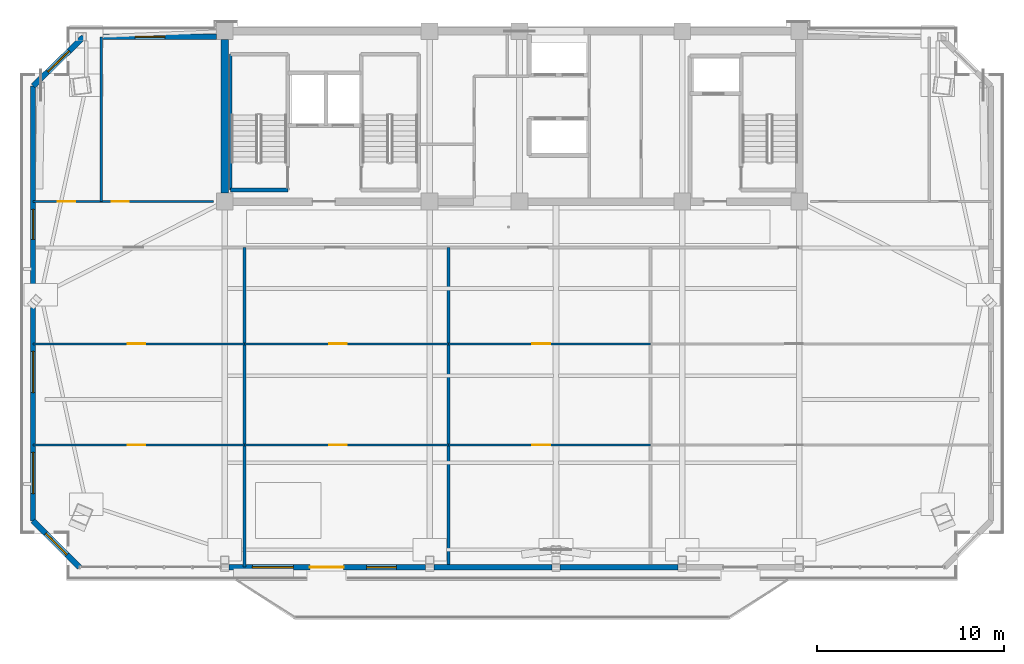
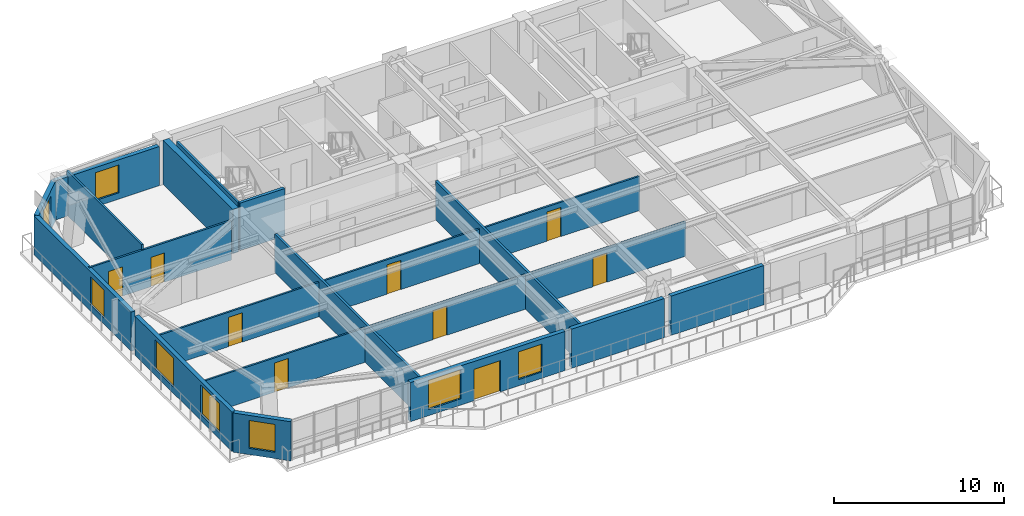
# One storey, part 8 of 15: 21 walls, 9 doors, 8 windows, 17 openings.
"""IFC4 building model written with IfcOpenShell, lengths in metres."""

from ifc_helpers import new_model, si_unit, direction, frame, frame_2d, origin, place, context, subcontext, project, spatial, rectangle, extrude, source, transform, mapped, material, layer, layer_set, type_object, element, fill, save


model = new_model("IFC4")

# Units and contexts
model_context = context("Model", 3, precision=1e-05, world=origin(), true_north=direction((0.0, 1.0)))
body_context = subcontext(model_context, "Body", "Model", "MODEL_VIEW")
ifc_project = project(units=[si_unit("LENGTHUNIT", "METRE"), si_unit("AREAUNIT", "SQUARE_METRE"), si_unit("VOLUMEUNIT", "CUBIC_METRE"), si_unit("PLANEANGLEUNIT", "RADIAN"), si_unit("MASSUNIT", "GRAM", prefix="KILO")], contexts=[model_context])

# Site, building, storey
site_placement = place(None, origin())
site = spatial("IfcSite", under=ifc_project, at=site_placement, CompositionType="ELEMENT")
building_placement = place(site_placement, origin())
building = spatial("IfcBuilding", under=site, at=building_placement, Name="Giltprow Tower", CompositionType="ELEMENT")
storey_placement = place(building_placement, frame((0.0, 0.0, 290.39990234375)))
storey = spatial("IfcBuildingStorey", under=building, at=storey_placement, Name="L74", CompositionType="ELEMENT", Elevation=290.39990234375)

# Wall, opening, window
ifc_material_1 = material(Name="Precast concrete C40", Category="concrete")
ifc_layer_1 = layer(ifc_material_1, 0.300048828125, Name="Precast concrete C40")
ifc_layer_set_1 = layer_set([ifc_layer_1], Name="Precast concrete C40")
wall_type_1 = type_object("IfcWallType", Name="EW-NOTCH-CHAMFER-300", PredefinedType="SOLIDWALL", material=ifc_layer_set_1)
wall_1_placement = place(storey_placement, frame((9.60888671875, 20.385009765625, 0.0), z_axis=(0.0, 0.0, 1.0), x_axis=(0.707106781187, -0.707106781187, 0.0)))
wall_1 = element("IfcWall", 1, at=wall_1_placement, inside=storey, type_object=wall_type_1, Name="L74 Corner Notch Wall SW", PredefinedType="SOLIDWALL", context=body_context, shape_type="SweptSolid", body=[
    extrude(rectangle(XDim=3.503173828125, YDim=0.300048828125, at=frame_2d((1.75146484375, 0.0))), origin(), (0.0, 0.0, 1.0), 2.815185546875),
])
opening_1_placement = place(wall_1_placement, frame((0.951904296875, 0.0, 0.449951171875)))
opening_1 = element("IfcOpeningElement", 2, at=opening_1_placement, cuts=wall_1, Name="Opening WN17", PredefinedType="OPENING", context=body_context, shape_type="SweptSolid", body=[
    extrude(rectangle(XDim=1.60009765625, YDim=2.0, at=frame_2d((0.800048828125, 1.0))), frame((0.0, 0.159912109375, 0.0), z_axis=(0.0, -1.0, 0.0), x_axis=(1.0, 0.0, 0.0)), (0.0, 0.0, 1.0), 0.320068359375),
])
ifc_material_2 = material(Name="Insulated glass", Category="glass")
window_type_1 = type_object("IfcWindowType", Name="WN-COR-1600x2000", PartitioningType="SINGLE_PANEL", PredefinedType="WINDOW", material=ifc_material_2)
shared_shape_1 = source(origin(), body_context, "Body", "SweptSolid", [
    extrude(rectangle(XDim=1.60009765625, YDim=2.0, at=frame_2d((0.800048828125, 1.0))), frame((0.0, 0.030029296875, 0.0), z_axis=(0.0, -1.0, 0.0), x_axis=(1.0, 0.0, 0.0)), (0.0, 0.0, 1.0), 0.06005859375),
])
window_1_placement = place(opening_1_placement, origin())
window_1 = element("IfcWindow", 3, at=window_1_placement, inside=storey, type_object=window_type_1, Name="L74 Corner Notch Window SW", OverallHeight=2.0, OverallWidth=1.60009765625, PartitioningType="SINGLE_PANEL", PredefinedType="WINDOW", context=body_context, shape_type="MappedRepresentation", body=[
    mapped(shared_shape_1, transform((0.0, 0.0, 0.0), x_axis=(1.0, 0.0, 0.0), y_axis=(0.0, 1.0, 0.0), z_axis=(0.0, 0.0, 1.0), scale=1.0)),
])
fill(opening_1, window_1)

wall_2_placement = place(storey_placement, frame((12.31103515625, 46.25, 0.0), z_axis=(0.0, 0.0, 1.0), x_axis=(-0.716883404149, -0.697193075737, 0.0)))
wall_2 = element("IfcWall", 4, at=wall_2_placement, inside=storey, type_object=wall_type_1, Name="L74 Corner Notch Wall NW", PredefinedType="SOLIDWALL", context=body_context, shape_type="SweptSolid", body=[
    extrude(rectangle(XDim=3.769287109375, YDim=0.300048828125, at=frame_2d((1.884765625, 0.0))), origin(), (0.0, 0.0, 1.0), 2.815185546875),
])
opening_2_placement = place(wall_2_placement, frame((1.0849609375, 0.0, 0.449951171875)))
opening_2 = element("IfcOpeningElement", 5, at=opening_2_placement, cuts=wall_2, Name="Opening WN17", PredefinedType="OPENING", context=body_context, shape_type="SweptSolid", body=[
    extrude(rectangle(XDim=1.60009765625, YDim=2.0, at=frame_2d((0.800048828125, 1.0))), frame((0.0, 0.159912109375, 0.0), z_axis=(0.0, -1.0, 0.0), x_axis=(1.0, 0.0, 0.0)), (0.0, 0.0, 1.0), 0.320068359375),
])
window_2_placement = place(opening_2_placement, origin())
window_2 = element("IfcWindow", 6, at=window_2_placement, inside=storey, type_object=window_type_1, Name="L74 Corner Notch Window NW", OverallHeight=2.0, OverallWidth=1.60009765625, PartitioningType="SINGLE_PANEL", PredefinedType="WINDOW", context=body_context, shape_type="MappedRepresentation", body=[
    mapped(shared_shape_1, transform((0.0, 0.0, 0.0), x_axis=(1.0, 0.0, 0.0), y_axis=(0.0, 1.0, 0.0), z_axis=(0.0, 0.0, 1.0), scale=1.0)),
])
fill(opening_2, window_2)

# Wall, openings, windows, door
ifc_layer_2 = layer(ifc_material_1, 0.280029296875, Name="Precast concrete C40")
ifc_layer_set_2 = layer_set([ifc_layer_2], Name="Precast concrete C40")
wall_type_2 = type_object("IfcWallType", Name="EW-TOW-BRONZE-280", PredefinedType="SOLIDWALL", material=ifc_layer_set_2)
wall_3_placement = place(storey_placement, frame((20.074951171875, 17.907958984375, 0.0), z_axis=(0.0, 0.0, 1.0), x_axis=(1.0, 0.0, 0.0)))
wall_3 = element("IfcWall", 7, at=wall_3_placement, inside=storey, type_object=wall_type_2, Name="L74 South Expressed Frame Wall 2", PredefinedType="SOLIDWALL", context=body_context, shape_type="SweptSolid", body=[
    extrude(rectangle(XDim=10.5, YDim=0.280029296875, at=frame_2d((5.25, 0.0))), origin(), (0.0, 0.0, 1.0), 2.815185546875),
])
opening_3_placement = place(wall_3_placement, frame((4.324951171875, 0.0, 0.0)))
opening_3 = element("IfcOpeningElement", 8, at=opening_3_placement, cuts=wall_3, Name="Opening ED25", PredefinedType="OPENING", context=body_context, shape_type="SweptSolid", body=[
    extrude(rectangle(XDim=1.800048828125, YDim=2.25, at=frame_2d((0.89990234375, 1.125))), frame((0.0, 0.14990234375, 0.0), z_axis=(0.0, -1.0, 0.0), x_axis=(1.0, 0.0, 0.0)), (0.0, 0.0, 1.0), 0.300048828125),
])
opening_4_placement = place(wall_3_placement, frame((1.2451171875, 0.0, 0.449951171875)))
opening_4 = element("IfcOpeningElement", 9, at=opening_4_placement, cuts=wall_3, Name="Opening WN27", PredefinedType="OPENING", context=body_context, shape_type="SweptSolid", body=[
    extrude(rectangle(XDim=2.199951171875, YDim=2.10009765625, at=frame_2d((1.10009765625, 1.050048828125))), frame((0.0, 0.14990234375, 0.0), z_axis=(0.0, -1.0, 0.0), x_axis=(1.0, 0.0, 0.0)), (0.0, 0.0, 1.0), 0.300048828125),
])
opening_5_placement = place(wall_3_placement, frame((7.35009765625, 0.0, 0.449951171875)))
opening_5 = element("IfcOpeningElement", 10, at=opening_5_placement, cuts=wall_3, Name="Opening WN17", PredefinedType="OPENING", context=body_context, shape_type="SweptSolid", body=[
    extrude(rectangle(XDim=1.60009765625, YDim=2.0, at=frame_2d((0.800048828125, 1.0))), frame((0.0, 0.14990234375, 0.0), z_axis=(0.0, -1.0, 0.0), x_axis=(1.0, 0.0, 0.0)), (0.0, 0.0, 1.0), 0.300048828125),
])
window_3_placement = place(opening_5_placement, origin())
window_3 = element("IfcWindow", 11, at=window_3_placement, inside=storey, type_object=window_type_1, Name="L74 South Window 2B", OverallHeight=2.0, OverallWidth=1.60009765625, PartitioningType="SINGLE_PANEL", PredefinedType="WINDOW", context=body_context, shape_type="MappedRepresentation", body=[
    mapped(shared_shape_1, transform((0.0, 0.0, 0.0), x_axis=(1.0, 0.0, 0.0), y_axis=(0.0, 1.0, 0.0), z_axis=(0.0, 0.0, 1.0), scale=1.0)),
])
fill(opening_5, window_3)
ifc_material_3 = material(Name="Anodized bronze and glass", Category="glass")
door_type_1 = type_object("IfcDoorType", Name="DR-BALC-SLIDE-1800", OperationType="SLIDING_TO_LEFT", PredefinedType="DOOR", material=ifc_material_3)
shared_shape_2 = source(origin(), body_context, "Body", "SweptSolid", [
    extrude(rectangle(XDim=1.800048828125, YDim=2.25, at=frame_2d((0.89990234375, 1.125))), frame((0.0, 0.02490234375, 0.0), z_axis=(0.0, -1.0, 0.0), x_axis=(1.0, 0.0, 0.0)), (0.0, 0.0, 1.0), 0.050048828125),
])
door_1_placement = place(opening_3_placement, origin())
door_1 = element("IfcDoor", 12, at=door_1_placement, inside=storey, type_object=door_type_1, Name="L74 Waterfront Balcony Sliding Door 1", OperationType="SLIDING_TO_LEFT", OverallHeight=2.25, OverallWidth=1.800048828125, PredefinedType="DOOR", context=body_context, shape_type="MappedRepresentation", body=[
    mapped(shared_shape_2, transform((0.0, 0.0, 0.0), x_axis=(1.0, 0.0, 0.0), y_axis=(0.0, 1.0, 0.0), z_axis=(0.0, 0.0, 1.0), scale=1.0)),
])
fill(opening_3, door_1)
window_type_2 = type_object("IfcWindowType", Name="WN-RES-2200x2100", PartitioningType="TRIPLE_PANEL_VERTICAL", PredefinedType="WINDOW", material=ifc_material_2)
shared_shape_3 = source(origin(), body_context, "Body", "SweptSolid", [
    extrude(rectangle(XDim=2.199951171875, YDim=2.10009765625, at=frame_2d((1.10009765625, 1.050048828125))), frame((0.0, 0.030029296875, 0.0), z_axis=(0.0, -1.0, 0.0), x_axis=(1.0, 0.0, 0.0)), (0.0, 0.0, 1.0), 0.06005859375),
])
window_4_placement = place(opening_4_placement, origin())
window_4 = element("IfcWindow", 13, at=window_4_placement, inside=storey, type_object=window_type_2, Name="L74 South Window 2A", OverallHeight=2.10009765625, OverallWidth=2.199951171875, PartitioningType="SINGLE_PANEL", PredefinedType="WINDOW", context=body_context, shape_type="MappedRepresentation", body=[
    mapped(shared_shape_3, transform((0.0, 0.0, 0.0), x_axis=(1.0, 0.0, 0.0), y_axis=(0.0, 1.0, 0.0), z_axis=(0.0, 0.0, 1.0), scale=1.0)),
])
fill(opening_4, window_4)

# Walls
for number, where, z_axis, x_axis, name in (
    (14, (31.02490234375, 17.907958984375, 0.0), (0.0, 0.0, 1.0), (1.0, 0.0, 0.0), "L74 South Expressed Frame Wall 3"),
    (15, (37.77490234375, 17.907958984375, 0.0), (0.0, 0.0, 1.0), (1.0, 0.0, 0.0), "L74 South Expressed Frame Wall 4"),
):
    element("IfcWall", number, at=place(storey_placement, frame(where, z_axis=z_axis, x_axis=x_axis)), inside=storey, type_object=wall_type_2, Name=name, PredefinedType="SOLIDWALL", context=body_context, shape_type="SweptSolid", body=[
        extrude(rectangle(XDim=6.300048828125, YDim=0.280029296875, at=frame_2d((3.14990234375, 0.0))), origin(), (0.0, 0.0, 1.0), 2.815185546875),
    ])

# Wall, openings, windows
wall_4_placement = place(storey_placement, frame((9.60888671875, 20.385009765625, 0.0), z_axis=(0.0, 0.0, 1.0), x_axis=(0.0, 1.0, 0.0)))
wall_4 = element("IfcWall", 16, at=wall_4_placement, inside=storey, type_object=wall_type_2, Name="L74 W Wing Masonry Wall 1", PredefinedType="SOLIDWALL", context=body_context, shape_type="SweptSolid", body=[
    extrude(rectangle(XDim=11.39404296875, YDim=0.280029296875, at=frame_2d((5.697021484375, 0.0))), origin(), (0.0, 0.0, 1.0), 2.815185546875),
])
opening_6_placement = place(wall_4_placement, frame((1.455078125, 0.0, 0.449951171875)))
opening_6 = element("IfcOpeningElement", 17, at=opening_6_placement, cuts=wall_4, Name="Opening WN27", PredefinedType="OPENING", context=body_context, shape_type="SweptSolid", body=[
    extrude(rectangle(XDim=2.199951171875, YDim=2.10009765625, at=frame_2d((1.10009765625, 1.050048828125))), frame((0.0, 0.14990234375, 0.0), z_axis=(0.0, -1.0, 0.0), x_axis=(1.0, 0.0, 0.0)), (0.0, 0.0, 1.0), 0.300048828125),
])
opening_7_placement = place(wall_4_placement, frame((6.85400390625, 0.0, 0.449951171875)))
opening_7 = element("IfcOpeningElement", 18, at=opening_7_placement, cuts=wall_4, Name="Opening WN27", PredefinedType="OPENING", context=body_context, shape_type="SweptSolid", body=[
    extrude(rectangle(XDim=2.199951171875, YDim=2.10009765625, at=frame_2d((1.10009765625, 1.050048828125))), frame((0.0, 0.14990234375, 0.0), z_axis=(0.0, -1.0, 0.0), x_axis=(1.0, 0.0, 0.0)), (0.0, 0.0, 1.0), 0.300048828125),
])
window_5_placement = place(opening_6_placement, origin())
window_5 = element("IfcWindow", 19, at=window_5_placement, inside=storey, type_object=window_type_2, Name="L74 W Wing Window 1-1A", OverallHeight=2.10009765625, OverallWidth=2.199951171875, PartitioningType="SINGLE_PANEL", PredefinedType="WINDOW", context=body_context, shape_type="MappedRepresentation", body=[
    mapped(shared_shape_3, transform((0.0, 0.0, 0.0), x_axis=(1.0, 0.0, 0.0), y_axis=(0.0, 1.0, 0.0), z_axis=(0.0, 0.0, 1.0), scale=1.0)),
])
fill(opening_6, window_5)
window_6_placement = place(opening_7_placement, origin())
window_6 = element("IfcWindow", 20, at=window_6_placement, inside=storey, type_object=window_type_2, Name="L74 W Wing Window 1-1B", OverallHeight=2.10009765625, OverallWidth=2.199951171875, PartitioningType="SINGLE_PANEL", PredefinedType="WINDOW", context=body_context, shape_type="MappedRepresentation", body=[
    mapped(shared_shape_3, transform((0.0, 0.0, 0.0), x_axis=(1.0, 0.0, 0.0), y_axis=(0.0, 1.0, 0.0), z_axis=(0.0, 0.0, 1.0), scale=1.0)),
])
fill(opening_7, window_6)

# Wall, opening, window
wall_5_placement = place(storey_placement, frame((9.60888671875, 32.22900390625, 0.0), z_axis=(0.0, 0.0, 1.0), x_axis=(0.0, 1.0, 0.0)))
wall_5 = element("IfcWall", 21, at=wall_5_placement, inside=storey, type_object=wall_type_2, Name="L74 W Wing Masonry Wall 2", PredefinedType="SOLIDWALL", context=body_context, shape_type="SweptSolid", body=[
    extrude(rectangle(XDim=11.39306640625, YDim=0.280029296875, at=frame_2d((5.696533203125, 0.0))), origin(), (0.0, 0.0, 1.0), 2.815185546875),
])
opening_8_placement = place(wall_5_placement, frame((3.200927734375, 0.0, 0.449951171875)))
opening_8 = element("IfcOpeningElement", 22, at=opening_8_placement, cuts=wall_5, Name="Opening WN17", PredefinedType="OPENING", context=body_context, shape_type="SweptSolid", body=[
    extrude(rectangle(XDim=1.60009765625, YDim=2.0, at=frame_2d((0.800048828125, 1.0))), frame((0.0, 0.14990234375, 0.0), z_axis=(0.0, -1.0, 0.0), x_axis=(1.0, 0.0, 0.0)), (0.0, 0.0, 1.0), 0.300048828125),
])
window_7_placement = place(opening_8_placement, origin())
window_7 = element("IfcWindow", 23, at=window_7_placement, inside=storey, type_object=window_type_1, Name="L74 W Wing Window 2-1", OverallHeight=2.0, OverallWidth=1.60009765625, PartitioningType="SINGLE_PANEL", PredefinedType="WINDOW", context=body_context, shape_type="MappedRepresentation", body=[
    mapped(shared_shape_1, transform((0.0, 0.0, 0.0), x_axis=(1.0, 0.0, 0.0), y_axis=(0.0, 1.0, 0.0), z_axis=(0.0, 0.0, 1.0), scale=1.0)),
])
fill(opening_8, window_7)

wall_6_placement = place(storey_placement, frame((12.31103515625, 46.25, 0.0), z_axis=(0.0, 0.0, 1.0), x_axis=(1.0, 0.0, 0.0)))
wall_6 = element("IfcWall", 24, at=wall_6_placement, inside=storey, type_object=wall_type_2, Name="L74 North-West Wing Wall", PredefinedType="SOLIDWALL", context=body_context, shape_type="SweptSolid", body=[
    extrude(rectangle(XDim=7.0888671875, YDim=0.280029296875, at=frame_2d((3.54443359375, 0.0))), origin(), (0.0, 0.0, 1.0), 2.815185546875),
])
opening_9_placement = place(wall_6_placement, frame((2.743896484375, 0.0, 0.449951171875)))
opening_9 = element("IfcOpeningElement", 25, at=opening_9_placement, cuts=wall_6, Name="Opening WN17", PredefinedType="OPENING", context=body_context, shape_type="SweptSolid", body=[
    extrude(rectangle(XDim=1.60009765625, YDim=2.0, at=frame_2d((0.800048828125, 1.0))), frame((0.0, 0.14990234375, 0.0), z_axis=(0.0, -1.0, 0.0), x_axis=(1.0, 0.0, 0.0)), (0.0, 0.0, 1.0), 0.300048828125),
])
window_8_placement = place(opening_9_placement, origin())
window_8 = element("IfcWindow", 26, at=window_8_placement, inside=storey, type_object=window_type_1, Name="L74 North-West Window", OverallHeight=2.0, OverallWidth=1.60009765625, PartitioningType="SINGLE_PANEL", PredefinedType="WINDOW", context=body_context, shape_type="MappedRepresentation", body=[
    mapped(shared_shape_1, transform((0.0, 0.0, 0.0), x_axis=(1.0, 0.0, 0.0), y_axis=(0.0, 1.0, 0.0), z_axis=(0.0, 0.0, 1.0), scale=1.0)),
])
fill(opening_9, window_8)

# Walls
ifc_material_4 = material(Name="Gypsum stud partition", Category="gypsum")
ifc_layer_3 = layer(ifc_material_4, 0.159912109375, Name="Gypsum stud partition")
ifc_layer_set_3 = layer_set([ifc_layer_3], Name="Gypsum stud partition")
wall_type_3 = type_object("IfcWallType", Name="IW-DEMISE-160", PredefinedType="PARTITIONING", material=ifc_layer_set_3)
for number, where, z_axis, x_axis, name in (
    (27, (20.89990234375, 17.907958984375, 0.0), (0.0, 0.0, 1.0), (0.0, 1.0, 0.0), "L74 Apartment Party Wall 1"),
    (28, (31.800048828125, 17.907958984375, 0.0), (0.0, 0.0, 1.0), (0.0, 1.0, 0.0), "L74 Apartment Party Wall 2"),
):
    element("IfcWall", number, at=place(storey_placement, frame(where, z_axis=z_axis, x_axis=x_axis)), inside=storey, type_object=wall_type_3, Name=name, PredefinedType="PARTITIONING", context=body_context, shape_type="SweptSolid", body=[
        extrude(rectangle(XDim=17.092041015625, YDim=0.159912109375, at=frame_2d((8.5458984375, 0.0))), origin(), (0.0, 0.0, 1.0), 2.77001953125),
    ])

# Wall, opening, door
ifc_layer_4 = layer(ifc_material_4, 0.1201171875, Name="Gypsum stud partition")
ifc_layer_set_4 = layer_set([ifc_layer_4], Name="Gypsum stud partition")
wall_type_4 = type_object("IfcWallType", Name="IW-ROOM-120", PredefinedType="PARTITIONING", material=ifc_layer_set_4)
wall_7_placement = place(storey_placement, frame((9.60888671875, 24.43994140625, 0.0), z_axis=(0.0, 0.0, 1.0), x_axis=(1.0, 0.0, 0.0)))
wall_7 = element("IfcWall", 29, at=wall_7_placement, inside=storey, type_object=wall_type_4, Name="L74 Special Split 1", PredefinedType="PARTITIONING", context=body_context, shape_type="SweptSolid", body=[
    extrude(rectangle(XDim=11.291015625, YDim=0.1201171875, at=frame_2d((5.6455078125, 0.0))), origin(), (0.0, 0.0, 1.0), 2.47021484375),
])
opening_10_placement = place(wall_7_placement, frame((5.051025390625, 0.0, 0.0)))
opening_10 = element("IfcOpeningElement", 30, at=opening_10_placement, cuts=wall_7, Name="Opening ID11", PredefinedType="OPENING", context=body_context, shape_type="SweptSolid", body=[
    extrude(rectangle(XDim=0.949951171875, YDim=2.10009765625, at=frame_2d((0.47509765625, 1.050048828125))), frame((0.0, 0.070068359375, 0.0), z_axis=(0.0, -1.0, 0.0), x_axis=(1.0, 0.0, 0.0)), (0.0, 0.0, 1.0), 0.14013671875),
])
ifc_material_5 = material(Name="Engineered timber", Category="wood")
door_type_2 = type_object("IfcDoorType", Name="DR-ROOM-950", OperationType="SINGLE_SWING_RIGHT", PredefinedType="DOOR", material=ifc_material_5)
shared_shape_4 = source(origin(), body_context, "Body", "SweptSolid", [
    extrude(rectangle(XDim=0.949951171875, YDim=2.10009765625, at=frame_2d((0.47509765625, 1.050048828125))), frame((0.0, 0.02490234375, 0.0), z_axis=(0.0, -1.0, 0.0), x_axis=(1.0, 0.0, 0.0)), (0.0, 0.0, 1.0), 0.050048828125),
])
door_2_placement = place(opening_10_placement, origin())
door_2 = element("IfcDoor", 31, at=door_2_placement, inside=storey, type_object=door_type_2, Name="L74 Private Wine Cellar Store 1 South Door", OperationType="SINGLE_SWING_RIGHT", OverallHeight=2.10009765625, OverallWidth=0.949951171875, PredefinedType="DOOR", context=body_context, shape_type="MappedRepresentation", body=[
    mapped(shared_shape_4, transform((0.0, 0.0, 0.0), x_axis=(1.0, 0.0, 0.0), y_axis=(0.0, 1.0, 0.0), z_axis=(0.0, 0.0, 1.0), scale=1.0)),
])
fill(opening_10, door_2)

wall_8_placement = place(storey_placement, frame((9.60888671875, 29.839111328125, 0.0), z_axis=(0.0, 0.0, 1.0), x_axis=(1.0, 0.0, 0.0)))
wall_8 = element("IfcWall", 32, at=wall_8_placement, inside=storey, type_object=wall_type_4, Name="L74 Special Split 2", PredefinedType="PARTITIONING", context=body_context, shape_type="SweptSolid", body=[
    extrude(rectangle(XDim=11.291015625, YDim=0.1201171875, at=frame_2d((5.6455078125, 0.0))), origin(), (0.0, 0.0, 1.0), 2.47021484375),
])
opening_11_placement = place(wall_8_placement, frame((5.051025390625, 0.0, 0.0)))
opening_11 = element("IfcOpeningElement", 33, at=opening_11_placement, cuts=wall_8, Name="Opening ID11", PredefinedType="OPENING", context=body_context, shape_type="SweptSolid", body=[
    extrude(rectangle(XDim=0.949951171875, YDim=2.10009765625, at=frame_2d((0.47509765625, 1.050048828125))), frame((0.0, 0.070068359375, 0.0), z_axis=(0.0, -1.0, 0.0), x_axis=(1.0, 0.0, 0.0)), (0.0, 0.0, 1.0), 0.14013671875),
])
door_3_placement = place(opening_11_placement, origin())
door_3 = element("IfcDoor", 34, at=door_3_placement, inside=storey, type_object=door_type_2, Name="L74 Private Wine Cellar Store 1 Mid Door", OperationType="SINGLE_SWING_LEFT", OverallHeight=2.10009765625, OverallWidth=0.949951171875, PredefinedType="DOOR", context=body_context, shape_type="MappedRepresentation", body=[
    mapped(shared_shape_4, transform((0.0, 0.0, 0.0), x_axis=(1.0, 0.0, 0.0), y_axis=(0.0, 1.0, 0.0), z_axis=(0.0, 0.0, 1.0), scale=1.0)),
])
fill(opening_11, door_3)

wall_9_placement = place(storey_placement, frame((20.89990234375, 24.43994140625, 0.0), z_axis=(0.0, 0.0, 1.0), x_axis=(1.0, 0.0, 0.0)))
wall_9 = element("IfcWall", 35, at=wall_9_placement, inside=storey, type_object=wall_type_4, Name="L74 Special Split 1", PredefinedType="PARTITIONING", context=body_context, shape_type="SweptSolid", body=[
    extrude(rectangle(XDim=10.900146484375, YDim=0.1201171875, at=frame_2d((5.4501953125, 0.0))), origin(), (0.0, 0.0, 1.0), 2.47021484375),
])
opening_12_placement = place(wall_9_placement, frame((4.52587890625, 0.0, 0.0)))
opening_12 = element("IfcOpeningElement", 36, at=opening_12_placement, cuts=wall_9, Name="Opening ID11", PredefinedType="OPENING", context=body_context, shape_type="SweptSolid", body=[
    extrude(rectangle(XDim=0.949951171875, YDim=2.10009765625, at=frame_2d((0.47509765625, 1.050048828125))), frame((0.0, 0.070068359375, 0.0), z_axis=(0.0, -1.0, 0.0), x_axis=(1.0, 0.0, 0.0)), (0.0, 0.0, 1.0), 0.14013671875),
])
door_4_placement = place(opening_12_placement, origin())
door_4 = element("IfcDoor", 37, at=door_4_placement, inside=storey, type_object=door_type_2, Name="L74 Residents Sky Club Lounge South Door", OperationType="SINGLE_SWING_LEFT", OverallHeight=2.10009765625, OverallWidth=0.949951171875, PredefinedType="DOOR", context=body_context, shape_type="MappedRepresentation", body=[
    mapped(shared_shape_4, transform((0.0, 0.0, 0.0), x_axis=(1.0, 0.0, 0.0), y_axis=(0.0, 1.0, 0.0), z_axis=(0.0, 0.0, 1.0), scale=1.0)),
])
fill(opening_12, door_4)

wall_10_placement = place(storey_placement, frame((20.89990234375, 29.839111328125, 0.0), z_axis=(0.0, 0.0, 1.0), x_axis=(1.0, 0.0, 0.0)))
wall_10 = element("IfcWall", 38, at=wall_10_placement, inside=storey, type_object=wall_type_4, Name="L74 Special Split 2", PredefinedType="PARTITIONING", context=body_context, shape_type="SweptSolid", body=[
    extrude(rectangle(XDim=10.900146484375, YDim=0.1201171875, at=frame_2d((5.4501953125, 0.0))), origin(), (0.0, 0.0, 1.0), 2.47021484375),
])
opening_13_placement = place(wall_10_placement, frame((4.52587890625, 0.0, 0.0)))
opening_13 = element("IfcOpeningElement", 39, at=opening_13_placement, cuts=wall_10, Name="Opening ID11", PredefinedType="OPENING", context=body_context, shape_type="SweptSolid", body=[
    extrude(rectangle(XDim=0.949951171875, YDim=2.10009765625, at=frame_2d((0.47509765625, 1.050048828125))), frame((0.0, 0.070068359375, 0.0), z_axis=(0.0, -1.0, 0.0), x_axis=(1.0, 0.0, 0.0)), (0.0, 0.0, 1.0), 0.14013671875),
])
door_5_placement = place(opening_13_placement, origin())
door_5 = element("IfcDoor", 40, at=door_5_placement, inside=storey, type_object=door_type_2, Name="L74 Residents Sky Club Lounge Mid Door", OperationType="SINGLE_SWING_RIGHT", OverallHeight=2.10009765625, OverallWidth=0.949951171875, PredefinedType="DOOR", context=body_context, shape_type="MappedRepresentation", body=[
    mapped(shared_shape_4, transform((0.0, 0.0, 0.0), x_axis=(1.0, 0.0, 0.0), y_axis=(0.0, 1.0, 0.0), z_axis=(0.0, 0.0, 1.0), scale=1.0)),
])
fill(opening_13, door_5)

wall_11_placement = place(storey_placement, frame((31.800048828125, 24.43994140625, 0.0), z_axis=(0.0, 0.0, 1.0), x_axis=(1.0, 0.0, 0.0)))
wall_11 = element("IfcWall", 41, at=wall_11_placement, inside=storey, type_object=wall_type_4, Name="L74 Special Split 1", PredefinedType="PARTITIONING", context=body_context, shape_type="SweptSolid", body=[
    extrude(rectangle(XDim=10.800048828125, YDim=0.1201171875, at=frame_2d((5.39990234375, 0.0))), origin(), (0.0, 0.0, 1.0), 2.47021484375),
])
opening_14_placement = place(wall_11_placement, frame((4.486083984375, 0.0, 0.0)))
opening_14 = element("IfcOpeningElement", 42, at=opening_14_placement, cuts=wall_11, Name="Opening ID11", PredefinedType="OPENING", context=body_context, shape_type="SweptSolid", body=[
    extrude(rectangle(XDim=0.949951171875, YDim=2.10009765625, at=frame_2d((0.47509765625, 1.050048828125))), frame((0.0, 0.070068359375, 0.0), z_axis=(0.0, -1.0, 0.0), x_axis=(1.0, 0.0, 0.0)), (0.0, 0.0, 1.0), 0.14013671875),
])
door_6_placement = place(opening_14_placement, origin())
door_6 = element("IfcDoor", 43, at=door_6_placement, inside=storey, type_object=door_type_2, Name="L74 Residents Sky Club Lounge South Door", OperationType="SINGLE_SWING_RIGHT", OverallHeight=2.10009765625, OverallWidth=0.949951171875, PredefinedType="DOOR", context=body_context, shape_type="MappedRepresentation", body=[
    mapped(shared_shape_4, transform((0.0, 0.0, 0.0), x_axis=(1.0, 0.0, 0.0), y_axis=(0.0, 1.0, 0.0), z_axis=(0.0, 0.0, 1.0), scale=1.0)),
])
fill(opening_14, door_6)

wall_12_placement = place(storey_placement, frame((31.800048828125, 29.839111328125, 0.0), z_axis=(0.0, 0.0, 1.0), x_axis=(1.0, 0.0, 0.0)))
wall_12 = element("IfcWall", 44, at=wall_12_placement, inside=storey, type_object=wall_type_4, Name="L74 Special Split 2", PredefinedType="PARTITIONING", context=body_context, shape_type="SweptSolid", body=[
    extrude(rectangle(XDim=10.800048828125, YDim=0.1201171875, at=frame_2d((5.39990234375, 0.0))), origin(), (0.0, 0.0, 1.0), 2.47021484375),
])
opening_15_placement = place(wall_12_placement, frame((4.486083984375, 0.0, 0.0)))
opening_15 = element("IfcOpeningElement", 45, at=opening_15_placement, cuts=wall_12, Name="Opening ID11", PredefinedType="OPENING", context=body_context, shape_type="SweptSolid", body=[
    extrude(rectangle(XDim=0.949951171875, YDim=2.10009765625, at=frame_2d((0.47509765625, 1.050048828125))), frame((0.0, 0.070068359375, 0.0), z_axis=(0.0, -1.0, 0.0), x_axis=(1.0, 0.0, 0.0)), (0.0, 0.0, 1.0), 0.14013671875),
])
door_7_placement = place(opening_15_placement, origin())
door_7 = element("IfcDoor", 46, at=door_7_placement, inside=storey, type_object=door_type_2, Name="L74 Residents Sky Club Lounge Mid Door", OperationType="SINGLE_SWING_LEFT", OverallHeight=2.10009765625, OverallWidth=0.949951171875, PredefinedType="DOOR", context=body_context, shape_type="MappedRepresentation", body=[
    mapped(shared_shape_4, transform((0.0, 0.0, 0.0), x_axis=(1.0, 0.0, 0.0), y_axis=(0.0, 1.0, 0.0), z_axis=(0.0, 0.0, 1.0), scale=1.0)),
])
fill(opening_15, door_7)

# Walls
ifc_material_6 = material(Name="Concrete C45", Category="concrete")
ifc_layer_5 = layer(ifc_material_6, 0.139892578125, Name="Concrete C45")
ifc_layer_set_5 = layer_set([ifc_layer_5], Name="Concrete C45")
wall_type_5 = type_object("IfcWallType", Name="IW-STAIR-140", PredefinedType="SOLIDWALL", material=ifc_layer_set_5)
wall_13_placement = place(storey_placement, frame((20.169921875, 38.070068359375, 0.0), z_axis=(0.0, 0.0, 1.0), x_axis=(0.0, 1.0, 0.0)))
element("IfcWall", 47, at=wall_13_placement, inside=storey, type_object=wall_type_5, Name="L74 Stair ST-1 West Bearing Wall", PredefinedType="SOLIDWALL", context=body_context, shape_type="SweptSolid", body=[
    extrude(rectangle(XDim=7.25, YDim=0.139892578125, at=frame_2d((3.625, 0.0))), origin(), (0.0, 0.0, 1.0), 3.400146484375),
])
ifc_material_7 = material(Name="Concrete C40", Category="concrete")
ifc_layer_6 = layer(ifc_material_7, 0.199951171875, Name="Concrete C40")
ifc_layer_set_6 = layer_set([ifc_layer_6], Name="Concrete C40")
wall_type_6 = type_object("IfcWallType", Name="IW-STAIR-200", PredefinedType="SOLIDWALL", material=ifc_layer_set_6)
wall_14_placement = place(storey_placement, frame((20.169921875, 38.070068359375, 0.0), z_axis=(0.0, 0.0, 1.0), x_axis=(1.0, 0.0, 0.0)))
element("IfcWall", 48, at=wall_14_placement, inside=storey, type_object=wall_type_6, Name="L74 Stair ST-1 South Bearing Wall", PredefinedType="SOLIDWALL", context=body_context, shape_type="SweptSolid", body=[
    extrude(rectangle(XDim=3.050048828125, YDim=0.199951171875, at=frame_2d((1.52490234375, 0.0))), origin(), (0.0, 0.0, 1.0), 3.400146484375),
])

# Wall, openings, doors
ifc_material_8 = material(Name="Concrete C30", Category="concrete")
ifc_layer_7 = layer(ifc_material_8, 0.1298828125, Name="Concrete C30")
ifc_layer_set_7 = layer_set([ifc_layer_7], Name="Concrete C30")
wall_type_7 = type_object("IfcWallType", Name="IW-WET-130", PredefinedType="PARTITIONING", material=ifc_layer_set_7)
wall_15_placement = place(storey_placement, frame((9.60888671875, 37.449951171875, 0.0), z_axis=(0.0, 0.0, 1.0), x_axis=(1.0, 0.0, 0.0)))
wall_15 = element("IfcWall", 49, at=wall_15_placement, inside=storey, type_object=wall_type_7, Name="L74 NW Wing South Wall", PredefinedType="PARTITIONING", context=body_context, shape_type="SweptSolid", body=[
    extrude(rectangle(XDim=9.64111328125, YDim=0.1298828125, at=frame_2d((4.820556640625, 0.0))), origin(), (0.0, 0.0, 1.0), 2.820068359375),
])
opening_16_placement = place(wall_15_placement, frame((1.31494140625, 0.0, 0.0)))
opening_16 = element("IfcOpeningElement", 50, at=opening_16_placement, cuts=wall_15, Name="Opening ID11", PredefinedType="OPENING", context=body_context, shape_type="SweptSolid", body=[
    extrude(rectangle(XDim=0.949951171875, YDim=2.10009765625, at=frame_2d((0.47509765625, 1.050048828125))), frame((0.0, 0.074951171875, 0.0), z_axis=(0.0, -1.0, 0.0), x_axis=(1.0, 0.0, 0.0)), (0.0, 0.0, 1.0), 0.14990234375),
])
opening_17_placement = place(wall_15_placement, frame((4.199951171875, 0.0, 0.0)))
opening_17 = element("IfcOpeningElement", 51, at=opening_17_placement, cuts=wall_15, Name="Opening ID15", PredefinedType="OPENING", context=body_context, shape_type="SweptSolid", body=[
    extrude(rectangle(XDim=0.89990234375, YDim=2.10009765625, at=frame_2d((0.449951171875, 1.050048828125))), frame((0.0, 0.074951171875, 0.0), z_axis=(0.0, -1.0, 0.0), x_axis=(1.0, 0.0, 0.0)), (0.0, 0.0, 1.0), 0.14990234375),
])
door_type_3 = type_object("IfcDoorType", Name="DR-WC-900", OperationType="SINGLE_SWING_LEFT", PredefinedType="DOOR", material=ifc_material_5)
shared_shape_5 = source(origin(), body_context, "Body", "SweptSolid", [
    extrude(rectangle(XDim=0.89990234375, YDim=2.10009765625, at=frame_2d((0.449951171875, 1.050048828125))), frame((0.0, 0.02490234375, 0.0), z_axis=(0.0, -1.0, 0.0), x_axis=(1.0, 0.0, 0.0)), (0.0, 0.0, 1.0), 0.050048828125),
])
door_8_placement = place(opening_17_placement, origin())
door_8 = element("IfcDoor", 52, at=door_8_placement, inside=storey, type_object=door_type_3, Name="L74 NW Washroom Door", OperationType="SINGLE_SWING_LEFT", OverallHeight=2.10009765625, OverallWidth=0.89990234375, PredefinedType="DOOR", context=body_context, shape_type="MappedRepresentation", body=[
    mapped(shared_shape_5, transform((0.0, 0.0, 0.0), x_axis=(1.0, 0.0, 0.0), y_axis=(0.0, 1.0, 0.0), z_axis=(0.0, 0.0, 1.0), scale=1.0)),
])
fill(opening_17, door_8)
door_9_placement = place(opening_16_placement, origin())
door_9 = element("IfcDoor", 53, at=door_9_placement, inside=storey, type_object=door_type_2, Name="L74 Residents Study Office West Door", OperationType="SINGLE_SWING_RIGHT", OverallHeight=2.10009765625, OverallWidth=0.949951171875, PredefinedType="DOOR", context=body_context, shape_type="MappedRepresentation", body=[
    mapped(shared_shape_4, transform((0.0, 0.0, 0.0), x_axis=(1.0, 0.0, 0.0), y_axis=(0.0, 1.0, 0.0), z_axis=(0.0, 0.0, 1.0), scale=1.0)),
])
fill(opening_16, door_9)

# Walls
wall_16_placement = place(storey_placement, frame((13.259033203125, 37.449951171875, 0.0), z_axis=(0.0, 0.0, 1.0), x_axis=(0.0, 1.0, 0.0)))
element("IfcWall", 54, at=wall_16_placement, inside=storey, type_object=wall_type_7, Name="L74 NW Wing Divider", PredefinedType="PARTITIONING", context=body_context, shape_type="SweptSolid", body=[
    extrude(rectangle(XDim=8.800048828125, YDim=0.1298828125, at=frame_2d((4.39990234375, 0.0))), origin(), (0.0, 0.0, 1.0), 3.18505859375),
])
ifc_layer_8 = layer(ifc_material_6, 0.39990234375, Name="Concrete C45")
ifc_layer_set_8 = layer_set([ifc_layer_8], Name="Concrete C45")
wall_type_8 = type_object("IfcWallType", Name="SW-INT-400-C45", PredefinedType="SHEAR", material=ifc_layer_set_8)
wall_17_placement = place(storey_placement, frame((19.85009765625, 37.89990234375, 0.0), z_axis=(0.0, 0.0, 1.0), x_axis=(0.0, 1.0, 0.0)))
element("IfcWall", 55, at=wall_17_placement, inside=storey, type_object=wall_type_8, Name="L74 W Rear Core Shear Wall", PredefinedType="SHEAR", context=body_context, shape_type="SweptSolid", body=[
    extrude(rectangle(XDim=8.2001953125, YDim=0.39990234375, at=frame_2d((4.10009765625, 0.0))), origin(), (0.0, 0.0, 1.0), 3.18505859375),
])

save(model, "model.ifc")
